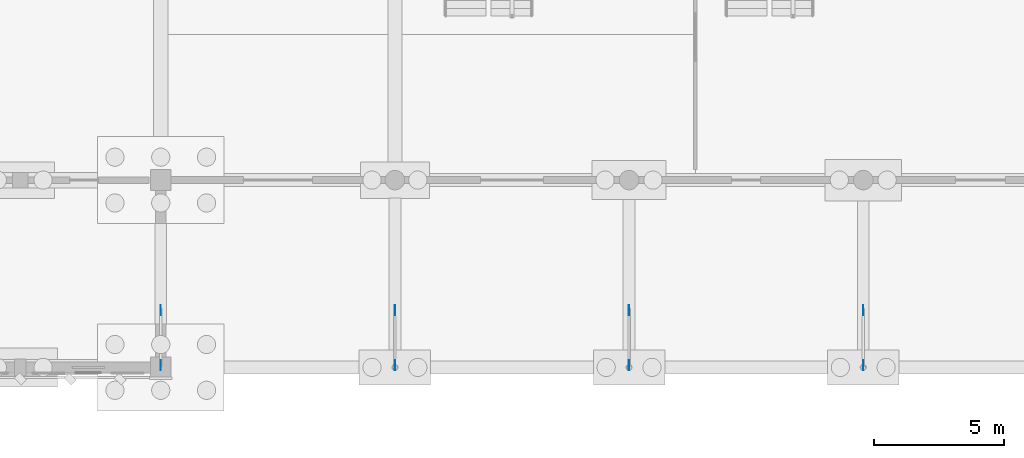
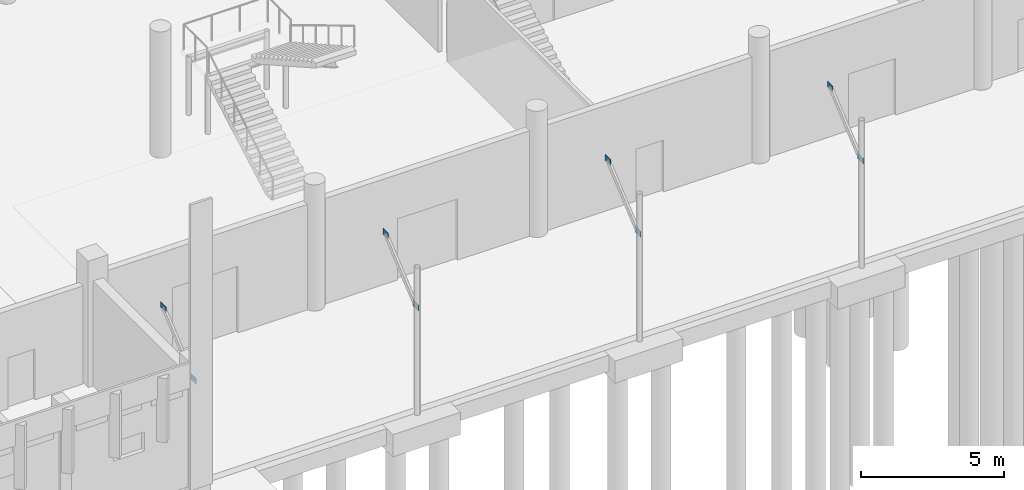
# One storey, part 80 of 109: 8 plates.
"""IFC4 building model written with IfcOpenShell, lengths in metres."""

import ifcopenshell
import ifcopenshell.guid

model = None  # the IFC model being written
_history = None  # IfcOwnerHistory: only IFC2X3 demands one
_inside = {}  # id of a spatial element -> (the spatial element, [elements in it])
_under = {}  # id of a project, library or spatial element -> (it, [spatial elements below it])
_declared = {}  # id of a project -> (the project, [libraries it declares])
_typed = {}  # id of a type object -> (the type object, [elements of that type])
_made_of = {}  # id of a material, layer set ... -> (it, [elements and type objects made of it])


def new_model(schema):
    """Start an empty IFC model of exactly this schema.

    Asked for "IFC4X3", IfcOpenShell would pick the latest addendum, in which some entities
    have other attributes; the version numbers below select the first issue.
    IFC2X3 requires an IfcOwnerHistory on every rooted entity: one is made here for all.
    """
    global model, _history
    if schema == "IFC4X3":
        model = ifcopenshell.file(schema_version=(4, 3, 0, 0))
    else:
        model = ifcopenshell.file(schema=schema)
    _inside.clear()
    _under.clear()
    _declared.clear()
    _typed.clear()
    _made_of.clear()
    _history = None
    if model.schema == "IFC2X3":
        org = make("IfcOrganization", Name="unknown")
        user = make(
            "IfcPersonAndOrganization",
            ThePerson=make("IfcPerson", FamilyName="unknown"),
            TheOrganization=org,
        )
        app = make(
            "IfcApplication",
            ApplicationDeveloper=org,
            Version="unknown",
            ApplicationFullName="unknown",
            ApplicationIdentifier="unknown",
        )
        _history = make(
            "IfcOwnerHistory",
            OwningUser=user,
            OwningApplication=app,
            ChangeAction="ADDED",
            CreationDate=0,
        )
    return model


def make(cls, **values):
    """One entity of the class cls with the attributes given. An attribute that is None is left unset."""
    return model.create_entity(
        cls, **{name: value for name, value in values.items() if value is not None}
    )


def rooted(cls, **values):
    """An entity with a GlobalId (a new one), such as an element, a storey or a relation."""
    return make(cls, GlobalId=ifcopenshell.guid.new(), OwnerHistory=_history, **values)


def si_unit(unit_type, name, prefix=None):
    """IfcSIUnit, for example si_unit("LENGTHUNIT", "METRE", prefix="MILLI")."""
    return make("IfcSIUnit", UnitType=unit_type, Prefix=prefix, Name=name)


def assignment(units):
    """IfcUnitAssignment: the units of a project."""
    return None if units is None else make("IfcUnitAssignment", Units=units)


def point(xyz):
    """IfcCartesianPoint."""
    return None if xyz is None else make("IfcCartesianPoint", Coordinates=xyz)


def direction(xyz):
    """IfcDirection."""
    return None if xyz is None else make("IfcDirection", DirectionRatios=xyz)


def frame(location, z_axis=None, x_axis=None):
    """IfcAxis2Placement3D, a coordinate frame: its origin and axes. An axis left out is left unset."""
    return make(
        "IfcAxis2Placement3D",
        Location=point(location),
        Axis=direction(z_axis),
        RefDirection=direction(x_axis),
    )


def frame_2d(location, x_axis=None):
    """IfcAxis2Placement2D, a coordinate frame in the plane: its origin and x axis."""
    return make(
        "IfcAxis2Placement2D", Location=point(location), RefDirection=direction(x_axis)
    )


def origin():
    """The frame at (0, 0, 0) with its axes left unset."""
    return frame((0.0, 0.0, 0.0))


def origin_2d():
    """The frame at (0, 0) in the plane with its x axis left unset."""
    return frame_2d((0.0, 0.0))


def place(relative_to, where):
    """IfcLocalPlacement: puts the frame where relative to a parent placement (None: the world)."""
    return make(
        "IfcLocalPlacement", PlacementRelTo=relative_to, RelativePlacement=where
    )


def context(
    kind, dimensions, precision=None, world=None, true_north=None, identifier=None
):
    """IfcGeometricRepresentationContext, for example the 3D "Model" context."""
    return make(
        "IfcGeometricRepresentationContext",
        ContextIdentifier=identifier,
        ContextType=kind,
        CoordinateSpaceDimension=dimensions,
        Precision=precision,
        WorldCoordinateSystem=world,
        TrueNorth=true_north,
    )


def subcontext(parent, identifier, kind, view, scale=None):
    """IfcGeometricRepresentationSubContext, for example "Body" below "Model"."""
    return make(
        "IfcGeometricRepresentationSubContext",
        ContextIdentifier=identifier,
        ContextType=kind,
        ParentContext=parent,
        TargetScale=scale,
        TargetView=view,
    )


def project(units=None, contexts=None):
    """IfcProject with its units and contexts."""
    return rooted(
        "IfcProject",
        Name="project",
        RepresentationContexts=contexts,
        UnitsInContext=assignment(units),
    )


def spatial(cls, under=None, at=None, **own):
    """A site, building, storey or space (cls), placed at a placement, below another one or the project."""
    s = rooted(cls, ObjectPlacement=at, **own)
    if under is not None:
        _under.setdefault(under.id(), (under, []))[1].append(s)
    return s


def profile(cls, at=None, kind="AREA", **sizes):
    """A parametric profile (cls). Its sizes go by their IFC names, for example OverallWidth=200.0."""
    return make(cls, ProfileType=kind, Position=at, **sizes)


def rectangle(**sizes):
    """IfcRectangleProfileDef."""
    return profile("IfcRectangleProfileDef", **sizes)


def extrude(swept, where, along, depth):
    """IfcExtrudedAreaSolid: the profile swept, set in the frame where, extruded along a direction by depth."""
    return make(
        "IfcExtrudedAreaSolid",
        SweptArea=swept,
        Position=where,
        ExtrudedDirection=direction(along),
        Depth=depth,
    )


def shape(context_of_items, identifier, shape_type, items):
    """IfcShapeRepresentation: the items that make up one representation, for example the "Body"."""
    return make(
        "IfcShapeRepresentation",
        ContextOfItems=context_of_items,
        RepresentationIdentifier=identifier,
        RepresentationType=shape_type,
        Items=items,
    )


def material(Name=None, Category=None):
    """IfcMaterial."""
    return make("IfcMaterial", Name=Name, Category=Category)


def layer(
    of_material, thickness, ventilated=None, Name=None, Category=None, Priority=None
):
    """IfcMaterialLayer: one layer of a wall or slab, of a material (None: an air gap)."""
    return make(
        "IfcMaterialLayer",
        Material=of_material,
        LayerThickness=thickness,
        IsVentilated=ventilated,
        Name=Name,
        Category=Category,
        Priority=Priority,
    )


def layer_set(layers, Name=None):
    """IfcMaterialLayerSet."""
    return make("IfcMaterialLayerSet", MaterialLayers=layers, LayerSetName=Name)


def made_of(thing, what):
    """Note that an element or type object is made of a material, layer set ...; save() writes the relation."""
    if what is not None:
        _made_of.setdefault(what.id(), (what, []))[1].append(thing)
    return thing


def type_object(cls, material=None, **own):
    """A type object (cls), such as IfcWallType, which elements share."""
    return made_of(rooted(cls, **own), material)


def element(
    cls,
    number,
    at=None,
    inside=None,
    cuts=None,
    type_object=None,
    material=None,
    context=None,
    identifier="Body",
    shape_type=None,
    held_by="IfcProductDefinitionShape",
    body=None,
    shapes=None,
    **own,
):
    """One element of the class cls, such as IfcWall. Its Tag is "e" and its number.

    at: its placement. inside: the storey or other place that contains it. cuts: it is an
    opening in that element (IfcRelVoidsElement). A single representation is given by context,
    identifier, shape_type and body (its items); several are given by shapes. held_by: the class
    of the entity that holds the representations. save() writes the other relations.
    """
    e = rooted(cls, Tag="e%d" % number, ObjectPlacement=at, **own)
    if body is not None:
        shapes = [shape(context, identifier, shape_type, body)]
    if shapes is not None:
        e.Representation = make(held_by, Representations=shapes)
    if inside is not None:
        _inside.setdefault(inside.id(), (inside, []))[1].append(e)
    if cuts is not None:
        rooted(
            "IfcRelVoidsElement", RelatingBuildingElement=cuts, RelatedOpeningElement=e
        )
    if type_object is not None:
        _typed.setdefault(type_object.id(), (type_object, []))[1].append(e)
    return made_of(e, material)


def aggregate(whole, parts):
    """IfcRelAggregates: a whole, such as a stair, and the parts it consists of."""
    return rooted("IfcRelAggregates", RelatingObject=whole, RelatedObjects=parts)


def save(model, path):
    """Write the relations noted so far, then the file.

    IfcRelAggregates (storeys below a building ...), IfcRelContainedInSpatialStructure (elements
    in a storey), IfcRelDefinesByType, IfcRelAssociatesMaterial and IfcRelDeclares: one each for
    every whole, place, type object, material and project.
    """
    for whole, parts in _under.values():
        aggregate(whole, parts)
    for where, things in _inside.values():
        rooted(
            "IfcRelContainedInSpatialStructure",
            RelatedElements=things,
            RelatingStructure=where,
        )
    for kind, things in _typed.values():
        rooted("IfcRelDefinesByType", RelatedObjects=things, RelatingType=kind)
    for what, things in _made_of.values():
        rooted("IfcRelAssociatesMaterial", RelatedObjects=things, RelatingMaterial=what)
    for by, libraries in _declared.values():
        rooted("IfcRelDeclares", RelatingContext=by, RelatedDefinitions=libraries)
    model.write(path)


model = new_model("IFC4")

# Units and contexts
model_context = context("Model", 3, precision=1e-05, world=origin(), true_north=direction((0.0, 1.0)))
body_context = subcontext(model_context, "Body", "Model", "MODEL_VIEW")
ifc_project = project(units=[si_unit("LENGTHUNIT", "METRE"), si_unit("AREAUNIT", "SQUARE_METRE"), si_unit("VOLUMEUNIT", "CUBIC_METRE"), si_unit("PLANEANGLEUNIT", "RADIAN"), si_unit("MASSUNIT", "GRAM", prefix="KILO")], contexts=[model_context])

# Site, building, storey
site_placement = place(None, origin())
site = spatial("IfcSite", under=ifc_project, at=site_placement, CompositionType="ELEMENT")
building_placement = place(site_placement, origin())
building = spatial("IfcBuilding", under=site, at=building_placement, Name="Lusvemor Sports Hall", CompositionType="ELEMENT")
storey_placement = place(building_placement, origin())
storey = spatial("IfcBuildingStorey", under=building, at=storey_placement, Name="L00", CompositionType="ELEMENT", Elevation=0.0)

# Plates
ifc_material = material(Name="Steel S355", Category="steel")
ifc_layer = layer(ifc_material, 0.013916015625)
ifc_layer_set = layer_set([ifc_layer], Name="Steel S355")
plate_type = type_object("IfcPlateType", Name="GUSSET_CANOPY_D", PredefinedType="USERDEFINED", material=ifc_layer_set)
for number, where, z_axis, x_axis, name in (
    (1, (75.60009765625, 0.080078125, 4.175048828125), (0.0, 0.0, 1.0), (1.0, 0.0, 0.0), "Canopy Connection Gusset 8-KF"),
    (2, (75.60009765625, 2.199951171875, 5.956787109375), (0.0, 0.0, 1.0), (1.0, 0.0, 0.0), "Canopy Connection Gusset 8-KH"),
    (3, (84.60009765625, 0.080078125, 4.175048828125), (0.0, 0.0, 1.0), (1.0, 0.0, 0.0), "Canopy Connection Gusset 9-KF"),
    (4, (84.60009765625, 2.199951171875, 5.956787109375), (0.0, 0.0, 1.0), (1.0, 0.0, 0.0), "Canopy Connection Gusset 9-KH"),
    (5, (93.60009765625, 0.080078125, 4.175048828125), (0.0, 0.0, 1.0), (1.0, 0.0, 0.0), "Canopy Connection Gusset 10-KF"),
    (6, (93.60009765625, 2.199951171875, 5.956787109375), (0.0, 0.0, 1.0), (1.0, 0.0, 0.0), "Canopy Connection Gusset 10-KH"),
    (7, (102.60009765625, 0.080078125, 4.175048828125), (0.0, 0.0, 1.0), (1.0, 0.0, 0.0), "Canopy Connection Gusset 11-KF"),
    (8, (102.60009765625, 2.199951171875, 5.956787109375), (0.0, 0.0, 1.0), (1.0, 0.0, 0.0), "Canopy Connection Gusset 11-KH"),
):
    element("IfcPlate", number, at=place(storey_placement, frame(where, z_axis=z_axis, x_axis=x_axis)), inside=storey, type_object=plate_type, Name=name, ObjectType="GUSSET_PLATE", PredefinedType="USERDEFINED", context=body_context, shape_type="SweptSolid", body=[
        extrude(rectangle(XDim=0.013916015625, YDim=0.389892578125, at=origin_2d()), origin(), (0.0, 0.0, 1.0), 0.25),
    ])

save(model, "model.ifc")
